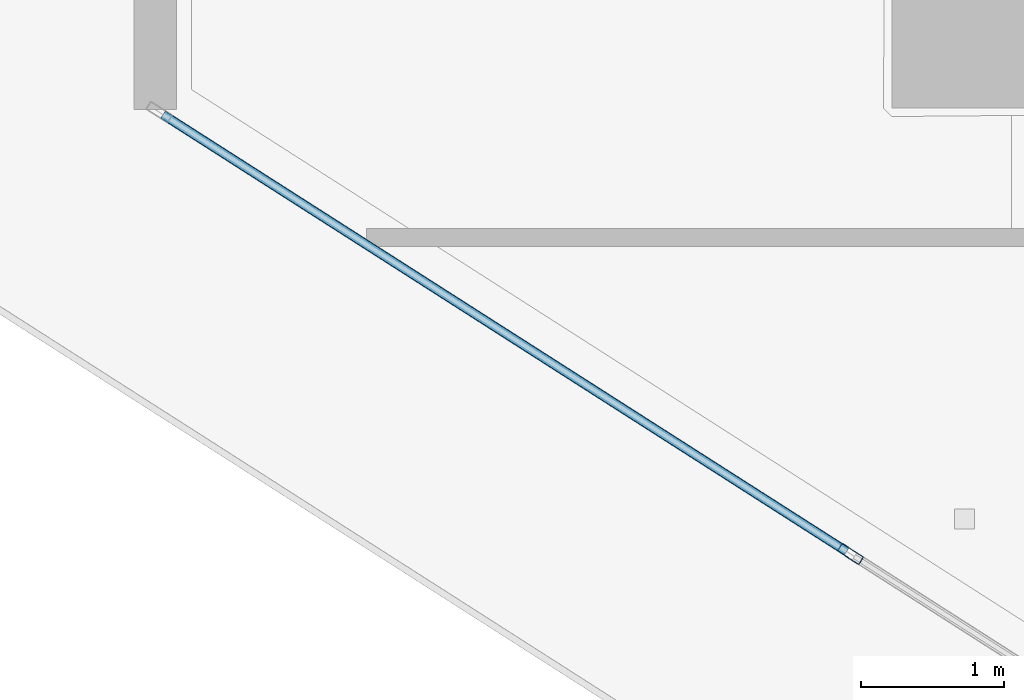
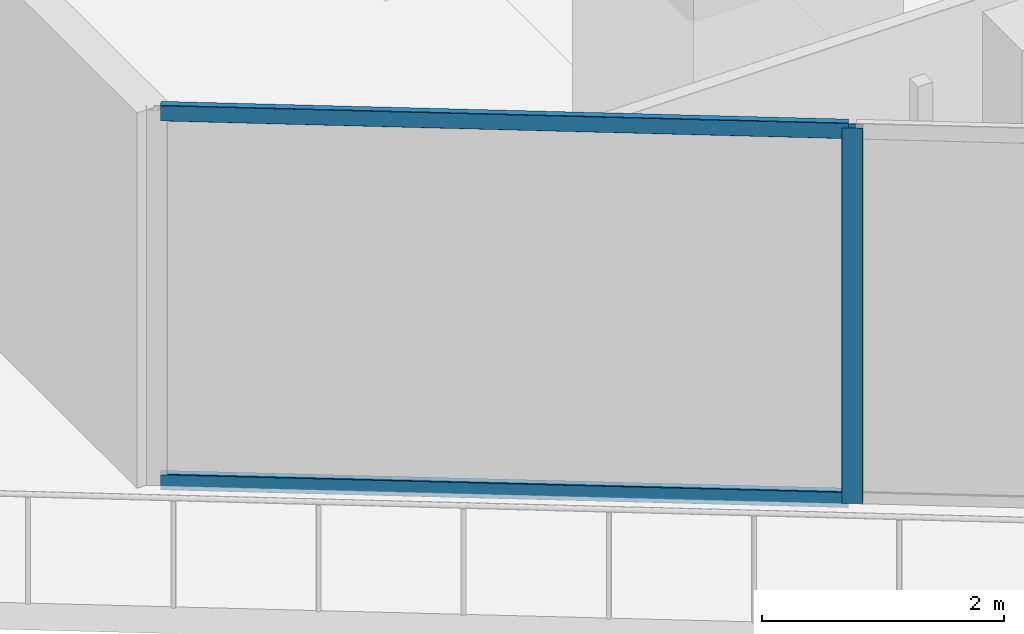
# One storey, part 4 of 37: 3 members, 1 element without a shape of its own.
"""IFC4 building model written with IfcOpenShell, lengths in metres."""

from ifc_helpers import new_model, si_unit, direction, frame, origin, origin_2d, place, context, subcontext, project, spatial, hollow_rectangle, extrude, material, layer, layer_set, material_profile, profile_set, type_object, element, aggregate, save


model = new_model("IFC4")

# Units and contexts
model_context = context("Model", 3, precision=1e-05, world=origin(), true_north=direction((0.0, 1.0)))
body_context = subcontext(model_context, "Body", "Model", "MODEL_VIEW")
ifc_project = project(units=[si_unit("LENGTHUNIT", "METRE"), si_unit("AREAUNIT", "SQUARE_METRE"), si_unit("VOLUMEUNIT", "CUBIC_METRE"), si_unit("PLANEANGLEUNIT", "RADIAN"), si_unit("MASSUNIT", "GRAM", prefix="KILO")], contexts=[model_context])

# Site, building, storey
site_placement = place(None, origin())
site = spatial("IfcSite", under=ifc_project, at=site_placement, CompositionType="ELEMENT")
building_placement = place(site_placement, origin())
building = spatial("IfcBuilding", under=site, at=building_placement, Name="Qorvath Tower", CompositionType="ELEMENT")
storey_placement = place(building_placement, frame((0.0, 0.0, 184.800048828125)))
storey = spatial("IfcBuildingStorey", under=building, at=storey_placement, Name="L42", CompositionType="ELEMENT", Elevation=184.800048828125)

# Curtain wall, members
ifc_material_1 = material(Name="Anodised aluminium and triple low-E glass", Category="aluminium")
ifc_layer = layer(ifc_material_1, 0.179931640625)
ifc_layer_set = layer_set([ifc_layer], Name="CW-SYS-3")
curtain_wall_type = type_object("IfcCurtainWallType", Name="CW-SYS-3", PredefinedType="NOTDEFINED", material=ifc_layer_set)
curtain_wall_placement = place(storey_placement, origin())
curtain_wall = element("IfcCurtainWall", 1, at=curtain_wall_placement, inside=storey, type_object=curtain_wall_type, Name="Curtain Wall CW-3 CW-T-L42-2.1", PredefinedType="NOTDEFINED")
ifc_material_2 = material(Name="Anodised aluminium 6063-T6", Category="aluminium")
ifc_material_profile_1 = material_profile(ifc_material_2, hollow_rectangle(XDim=0.06494140625, YDim=0.179931640625, WallThickness=0.00341796875, InnerFilletRadius=0.00341796875, OuterFilletRadius=0.007080078125, at=origin_2d()), Name="CWM 180x65")
ifc_profile_set_1 = profile_set([ifc_material_profile_1], Name="Anodised aluminium 6063-T6")
member_type_1 = type_object("IfcMemberType", Name="CWM-180", PredefinedType="MULLION", material=ifc_profile_set_1)
member_1_placement = place(storey_placement, frame((-50.461669921875, -6.649658203125, 0.0), z_axis=(0.0, 0.0, 1.0), x_axis=(0.53852951489, 0.842606647014, 0.0)))
member_1 = element("IfcMember", 2, at=member_1_placement, type_object=member_type_1, Name="CW-3 mullion 2", PredefinedType="MULLION", context=body_context, shape_type="SweptSolid", body=[
    extrude(hollow_rectangle(XDim=0.06494140625, YDim=0.179931640625, WallThickness=0.00341796875, InnerFilletRadius=0.00341796875, OuterFilletRadius=0.007080078125, at=origin_2d()), origin(), (0.0, 0.0, 1.0), 3.780029296875),
])
ifc_material_3 = material(Name="Anodised aluminium 6063-T6", Category="aluminium")
ifc_material_profile_2 = material_profile(ifc_material_3, hollow_rectangle(XDim=0.06494140625, YDim=0.159912109375, WallThickness=0.00341796875, InnerFilletRadius=0.00341796875, OuterFilletRadius=0.007080078125, at=origin_2d()), Name="CWT 160x65")
ifc_profile_set_2 = profile_set([ifc_material_profile_2], Name="Anodised aluminium 6063-T6")
member_type_2 = type_object("IfcMemberType", Name="CWT-160", PredefinedType="USERDEFINED", material=ifc_profile_set_2)
member_2_placement = place(storey_placement, frame((-55.273193359375, -3.57470703125, 0.032470703125), z_axis=(0.84261171188, -0.538521590099, 0.0), x_axis=(0.538521590099, 0.84261171188, 0.0)))
member_2 = element("IfcMember", 3, at=member_2_placement, type_object=member_type_2, Name="CW-3 transom 1.1", ObjectType="TRANSOM", PredefinedType="USERDEFINED", context=body_context, shape_type="SweptSolid", body=[
    extrude(hollow_rectangle(XDim=0.06494140625, YDim=0.159912109375, WallThickness=0.00341796875, InnerFilletRadius=0.00341796875, OuterFilletRadius=0.007080078125, at=origin_2d()), origin(), (0.0, 0.0, 1.0), 5.677734375),
])
member_3_placement = place(storey_placement, frame((-55.273193359375, -3.57470703125, 3.74755859375), z_axis=(0.84261171188, -0.538521590099, 0.0), x_axis=(0.538521590099, 0.84261171188, 0.0)))
member_3 = element("IfcMember", 4, at=member_3_placement, type_object=member_type_2, Name="CW-3 transom 1.2", ObjectType="TRANSOM", PredefinedType="USERDEFINED", context=body_context, shape_type="SweptSolid", body=[
    extrude(hollow_rectangle(XDim=0.06494140625, YDim=0.159912109375, WallThickness=0.00341796875, InnerFilletRadius=0.00341796875, OuterFilletRadius=0.007080078125, at=origin_2d()), origin(), (0.0, 0.0, 1.0), 5.677734375),
])
aggregate(curtain_wall, [member_1, member_2, member_3])

save(model, "model.ifc")
